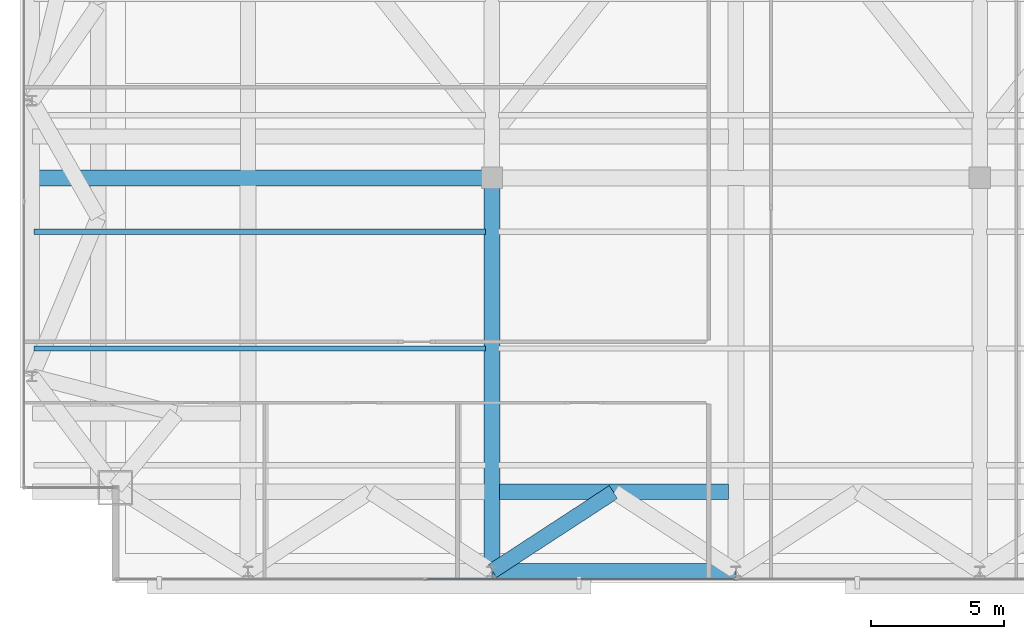
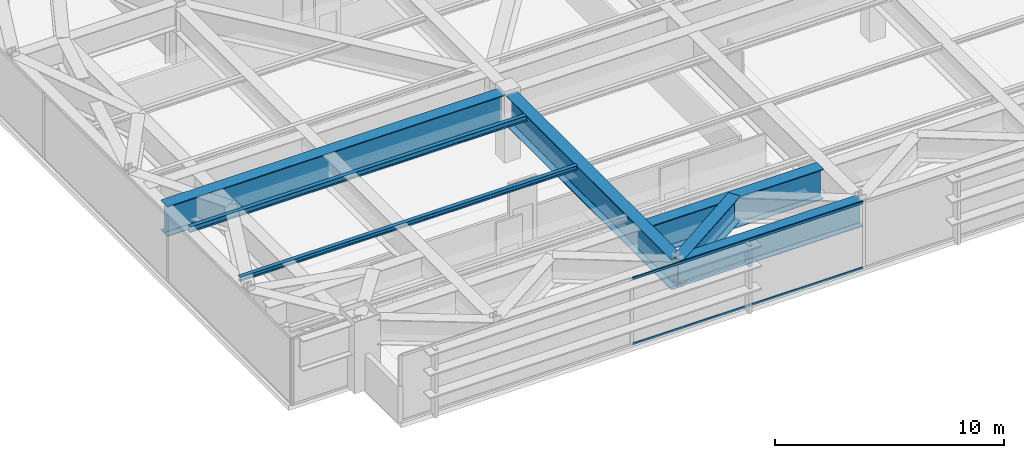
# One storey, part 8 of 26: 7 beams, 2 members, 1 element without a shape of its own.
"""IFC4 building model written with IfcOpenShell, lengths in metres."""

from ifc_helpers import new_model, si_unit, direction, frame, origin, origin_2d, place, context, subcontext, project, spatial, hollow_rectangle, i_section, extrude, source, transform, mapped, material, layer, layer_set, material_profile, profile_set, type_object, type_shapes, element, aggregate, save


model = new_model("IFC4")

# Units and contexts
model_context = context("Model", 3, precision=1e-05, world=origin(), true_north=direction((0.0, 1.0)))
body_context = subcontext(model_context, "Body", "Model", "MODEL_VIEW")
ifc_project = project(units=[si_unit("LENGTHUNIT", "METRE"), si_unit("AREAUNIT", "SQUARE_METRE"), si_unit("VOLUMEUNIT", "CUBIC_METRE"), si_unit("PLANEANGLEUNIT", "RADIAN"), si_unit("MASSUNIT", "GRAM", prefix="KILO")], contexts=[model_context])

# Site, building, storey
site_placement = place(None, origin())
site = spatial("IfcSite", under=ifc_project, at=site_placement, CompositionType="ELEMENT")
building_placement = place(site_placement, origin())
building = spatial("IfcBuilding", under=site, at=building_placement, Name="Varnel Quay Broadcast Tower", CompositionType="ELEMENT")
storey_placement = place(building_placement, frame((0.0, 0.0, 196.0)))
storey = spatial("IfcBuildingStorey", under=building, at=storey_placement, Name="L48", CompositionType="ELEMENT", Elevation=196.0)

# Beams
ifc_material_1 = material(Name="Structural Steel CSA G40.21 350WT", Category="steel")
ifc_material_profile_1 = material_profile(ifc_material_1, i_section(OverallWidth=0.580078125, OverallDepth=1.330078125, WebThickness=0.02197265625, FlangeThickness=0.0380859375, FilletRadius=0.02001953125, at=origin_2d()), Name="WWF1330X535")
ifc_profile_set_1 = profile_set([ifc_material_profile_1], Name="Structural Steel CSA G40.21 350WT")
beam_type_1 = type_object("IfcBeamType", Name="Girder_WWF1330X535", PredefinedType="BEAM", material=ifc_profile_set_1)
shared_shape_1 = source(origin(), body_context, "Body", "SweptSolid", [
    extrude(i_section(OverallWidth=0.580078125, OverallDepth=1.330078125, WebThickness=0.02197265625, FlangeThickness=0.0380859375, FilletRadius=0.02001953125, at=origin_2d()), origin(), (0.0, 0.0, 1.0), 9.159912109375),
])
beam_1_placement = place(storey_placement, frame((24.820068359375, 7.64990234375, 2.885009765625), z_axis=(1.0, 0.0, 0.0), x_axis=(0.0, 1.0, 0.0)))
element("IfcBeam", 1, at=beam_1_placement, inside=storey, type_object=beam_type_1, Name="L48 Perimeter Transfer Spine TC-S2-TC-S3", PredefinedType="BEAM", context=body_context, shape_type="MappedRepresentation", body=[
    mapped(shared_shape_1, transform((0.0, 0.0, 0.0), x_axis=(1.0, 0.0, 0.0), y_axis=(0.0, 1.0, 0.0), z_axis=(0.0, 0.0, 1.0), scale=1.0)),
])
ifc_material_profile_2 = material_profile(ifc_material_1, i_section(OverallWidth=0.60009765625, OverallDepth=1.60009765625, WebThickness=0.02392578125, FlangeThickness=0.0419921875, FilletRadius=0.02197265625, at=origin_2d()), Name="WWF1600X620")
ifc_profile_set_2 = profile_set([ifc_material_profile_2], Name="Structural Steel CSA G40.21 350WT")
beam_type_2 = type_object("IfcBeamType", Name="Girder_WWF1600X620", PredefinedType="BEAM", material=ifc_profile_set_2)
shared_shape_2 = source(origin(), body_context, "Body", "SweptSolid", [
    extrude(i_section(OverallWidth=0.60009765625, OverallDepth=1.60009765625, WebThickness=0.02392578125, FlangeThickness=0.0419921875, FilletRadius=0.02197265625, at=origin_2d()), origin(), (0.0, 0.0, 1.0), 8.630126953125),
])
beam_2_placement = place(storey_placement, frame((25.0849609375, 10.64990234375, 2.75), z_axis=(1.0, 0.0, 0.0), x_axis=(0.0, 1.0, 0.0)))
element("IfcBeam", 2, at=beam_2_placement, inside=storey, type_object=beam_type_2, Name="L48 Setback South Transfer Header 3", PredefinedType="BEAM", context=body_context, shape_type="MappedRepresentation", body=[
    mapped(shared_shape_2, transform((0.0, 0.0, 0.0), x_axis=(1.0, 0.0, 0.0), y_axis=(0.0, 1.0, 0.0), z_axis=(0.0, 0.0, 1.0), scale=1.0)),
])
shared_shape_3 = source(origin(), body_context, "Body", "SweptSolid", [
    extrude(i_section(OverallWidth=0.60009765625, OverallDepth=1.60009765625, WebThickness=0.02392578125, FlangeThickness=0.0419921875, FilletRadius=0.02197265625, at=origin_2d()), origin(), (0.0, 0.0, 1.0), 17.025146484375),
])
beam_3_placement = place(storey_placement, frame((7.469970703125, 22.489990234375, 2.75), z_axis=(1.0, 0.0, 0.0), x_axis=(0.0, 1.0, 0.0)))
element("IfcBeam", 3, at=beam_3_placement, inside=storey, type_object=beam_type_2, Name="L48 Mid Transfer Spine W", PredefinedType="BEAM", context=body_context, shape_type="MappedRepresentation", body=[
    mapped(shared_shape_3, transform((0.0, 0.0, 0.0), x_axis=(1.0, 0.0, 0.0), y_axis=(0.0, 1.0, 0.0), z_axis=(0.0, 0.0, 1.0), scale=1.0)),
])
shared_shape_4 = source(origin(), body_context, "Body", "SweptSolid", [
    extrude(i_section(OverallWidth=0.60009765625, OverallDepth=1.60009765625, WebThickness=0.02392578125, FlangeThickness=0.0419921875, FilletRadius=0.02197265625, at=origin_2d()), origin(), (0.0, 0.0, 1.0), 14.53515625),
])
type_shapes(beam_type_2, [shared_shape_2, shared_shape_3, shared_shape_4])
beam_4_placement = place(storey_placement, frame((24.800048828125, 7.669921875, 2.75), z_axis=(0.0, 1.0, 0.0), x_axis=(-1.0, 0.0, 0.0)))
element("IfcBeam", 4, at=beam_4_placement, inside=storey, type_object=beam_type_2, Name="L48 N-S Transfer Girder 2A", PredefinedType="BEAM", context=body_context, shape_type="MappedRepresentation", body=[
    mapped(shared_shape_4, transform((0.0, 0.0, 0.0), x_axis=(1.0, 0.0, 0.0), y_axis=(0.0, 1.0, 0.0), z_axis=(0.0, 0.0, 1.0), scale=1.0)),
])
shared_shape_5 = source(origin(), body_context, "Body", "SweptSolid", [
    extrude(i_section(OverallWidth=0.580078125, OverallDepth=1.330078125, WebThickness=0.02197265625, FlangeThickness=0.0380859375, FilletRadius=0.02001953125, at=origin_2d()), origin(), (0.0, 0.0, 1.0), 5.451904296875),
])
type_shapes(beam_type_1, [shared_shape_1, shared_shape_5])
beam_5_placement = place(storey_placement, frame((24.81689453125, 7.660888671875, 2.885009765625), z_axis=(0.837595451539, 0.546291002637, 0.0), x_axis=(-0.546291002637, 0.837595451539, 0.0)))
element("IfcBeam", 5, at=beam_5_placement, inside=storey, type_object=beam_type_1, Name="L48 Nodal Transfer Tie TC-S2-TC-S2", PredefinedType="BEAM", context=body_context, shape_type="MappedRepresentation", body=[
    mapped(shared_shape_5, transform((0.0, 0.0, 0.0), x_axis=(1.0, 0.0, 0.0), y_axis=(0.0, 1.0, 0.0), z_axis=(0.0, 0.0, 1.0), scale=1.0)),
])
ifc_material_2 = material(Name="Structural Steel CSA G40.21 350W", Category="steel")
ifc_material_profile_3 = material_profile(ifc_material_2, i_section(OverallWidth=0.202880859375, OverallDepth=0.302978515625, WebThickness=0.007568359375, FlangeThickness=0.01318359375, FilletRadius=0.011962890625, at=origin_2d()), Name="W310X60")
ifc_profile_set_3 = profile_set([ifc_material_profile_3], Name="Structural Steel CSA G40.21 350W")
beam_type_3 = type_object("IfcBeamType", Name="Beam_W310X60", PredefinedType="JOIST", material=ifc_profile_set_3)
shared_shape_6 = source(origin(), body_context, "Body", "SweptSolid", [
    extrude(i_section(OverallWidth=0.202880859375, OverallDepth=0.302978515625, WebThickness=0.007568359375, FlangeThickness=0.01318359375, FilletRadius=0.011962890625, at=origin_2d()), origin(), (0.0, 0.0, 1.0), 17.01953125),
])
type_shapes(beam_type_3, [shared_shape_6])
beam_6_placement = place(storey_placement, frame((7.535400390625, 20.449951171875, 3.3984375), z_axis=(1.0, 0.0, 0.0), x_axis=(0.0, 1.0, 0.0)))
element("IfcBeam", 6, at=beam_6_placement, inside=storey, type_object=beam_type_3, Name="L48 West Floor Joist 3", PredefinedType="JOIST", context=body_context, shape_type="MappedRepresentation", body=[
    mapped(shared_shape_6, transform((0.0, 0.0, 0.0), x_axis=(1.0, 0.0, 0.0), y_axis=(0.0, 1.0, 0.0), z_axis=(0.0, 0.0, 1.0), scale=1.0)),
])
ifc_material_profile_4 = material_profile(ifc_material_2, i_section(OverallWidth=0.201904296875, OverallDepth=0.2470703125, WebThickness=0.00732421875, FlangeThickness=0.010986328125, FilletRadius=0.010986328125, at=origin_2d()), Name="W250X49")
ifc_profile_set_4 = profile_set([ifc_material_profile_4], Name="Structural Steel CSA G40.21 350W")
beam_type_4 = type_object("IfcBeamType", Name="Beam_W250X49", PredefinedType="JOIST", material=ifc_profile_set_4)
shared_shape_7 = source(origin(), body_context, "Body", "SweptSolid", [
    extrude(i_section(OverallWidth=0.201904296875, OverallDepth=0.2470703125, WebThickness=0.00732421875, FlangeThickness=0.010986328125, FilletRadius=0.010986328125, at=origin_2d()), origin(), (0.0, 0.0, 1.0), 17.01953125),
])
type_shapes(beam_type_4, [shared_shape_7])
beam_7_placement = place(storey_placement, frame((7.535400390625, 16.050048828125, 3.426513671875), z_axis=(1.0, 0.0, 0.0), x_axis=(0.0, 1.0, 0.0)))
element("IfcBeam", 7, at=beam_7_placement, inside=storey, type_object=beam_type_4, Name="L48 West Floor Joist 2", PredefinedType="JOIST", context=body_context, shape_type="MappedRepresentation", body=[
    mapped(shared_shape_7, transform((0.0, 0.0, 0.0), x_axis=(1.0, 0.0, 0.0), y_axis=(0.0, 1.0, 0.0), z_axis=(0.0, 0.0, 1.0), scale=1.0)),
])

# Curtain wall, members
ifc_material_3 = material(Name="Anodised Bronze Aluminium 6063-T6", Category="aluminium")
ifc_layer = layer(ifc_material_3, 0.18994140625, Name="Anodised Bronze Aluminium 6063-T6")
ifc_layer_set = layer_set([ifc_layer], Name="Anodised Bronze Aluminium 6063-T6")
curtain_wall_type = type_object("IfcCurtainWallType", Name="CW_UpperTower", PredefinedType="NOTDEFINED", material=ifc_layer_set)
curtain_wall_placement = place(storey_placement, origin())
curtain_wall = element("IfcCurtainWall", 8, at=curtain_wall_placement, inside=storey, type_object=curtain_wall_type, Name="L48 South Unitised Curtain Wall 1", PredefinedType="NOTDEFINED")
ifc_material_profile_5 = material_profile(ifc_material_3, hollow_rectangle(XDim=0.06005859375, YDim=0.125, WallThickness=0.0029296875, at=origin_2d()), Name="ALU60X125X3")
ifc_profile_set_5 = profile_set([ifc_material_profile_5], Name="Anodised Bronze Aluminium 6063-T6")
member_type = type_object("IfcMemberType", Name="Tran_CWS-03", PredefinedType="USERDEFINED", material=ifc_profile_set_5)
shared_shape_8 = source(origin(), body_context, "Body", "SweptSolid", [
    extrude(hollow_rectangle(XDim=0.06005859375, YDim=0.125, WallThickness=0.0029296875, at=origin_2d()), origin(), (0.0, 0.0, 1.0), 11.635009765625),
])
type_shapes(member_type, [shared_shape_8])
member_1_placement = place(storey_placement, frame((22.33251953125, 7.35009765625, 0.030029296875), z_axis=(1.0, 0.0, 0.0), x_axis=(0.0, 1.0, 0.0)))
member_1 = element("IfcMember", 9, at=member_1_placement, type_object=member_type, Name="CWS-03 transom 2.1", ObjectType="TRANSOM", PredefinedType="USERDEFINED", context=body_context, shape_type="MappedRepresentation", body=[
    mapped(shared_shape_8, transform((0.0, 0.0, 0.0), x_axis=(1.0, 0.0, 0.0), y_axis=(0.0, 1.0, 0.0), z_axis=(0.0, 0.0, 1.0), scale=1.0)),
])
member_2_placement = place(storey_placement, frame((22.33251953125, 7.35009765625, 3.52001953125), z_axis=(1.0, 0.0, 0.0), x_axis=(0.0, 1.0, 0.0)))
member_2 = element("IfcMember", 10, at=member_2_placement, type_object=member_type, Name="CWS-03 transom 2.2", ObjectType="TRANSOM", PredefinedType="USERDEFINED", context=body_context, shape_type="MappedRepresentation", body=[
    mapped(shared_shape_8, transform((0.0, 0.0, 0.0), x_axis=(1.0, 0.0, 0.0), y_axis=(0.0, 1.0, 0.0), z_axis=(0.0, 0.0, 1.0), scale=1.0)),
])
aggregate(curtain_wall, [member_1, member_2])

save(model, "model.ifc")
